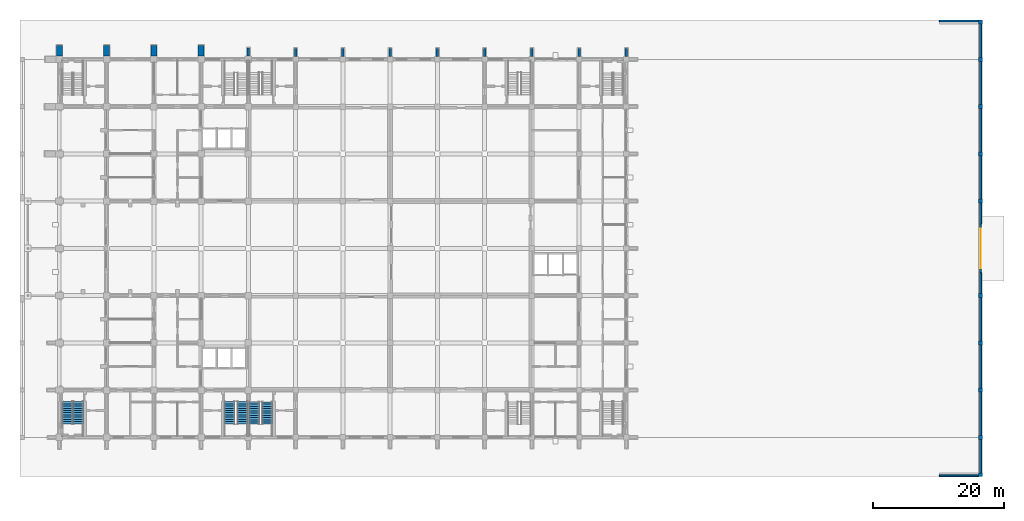
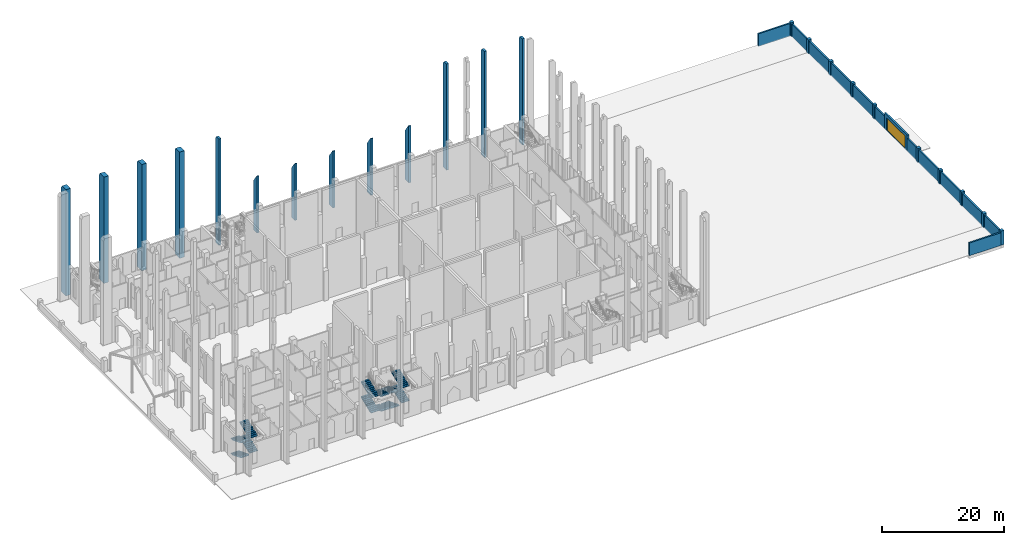
# One storey, part 40 of 50: 36 walls, 12 stair flights, 1 door, 1 opening, 3 elements without a shape of their own.
"""IFC4 building model written with IfcOpenShell, lengths in metres."""

from ifc_helpers import new_model, si_unit, direction, frame, frame_2d, origin, place, context, subcontext, project, spatial, polyline, rectangle, outline, extrude, material, layer, layer_set, type_object, element, fill, aggregate, save


model = new_model("IFC4")

# Units and contexts
model_context = context("Model", 3, precision=1e-05, world=origin(), true_north=direction((0.0, 1.0)))
body_context = subcontext(model_context, "Body", "Model", "MODEL_VIEW")
ifc_project = project(units=[si_unit("LENGTHUNIT", "METRE"), si_unit("AREAUNIT", "SQUARE_METRE"), si_unit("VOLUMEUNIT", "CUBIC_METRE"), si_unit("PLANEANGLEUNIT", "RADIAN"), si_unit("MASSUNIT", "GRAM", prefix="KILO")], contexts=[model_context])

# Site, building, storey
site_placement = place(None, origin())
site = spatial("IfcSite", under=ifc_project, at=site_placement, CompositionType="ELEMENT")
building_placement = place(site_placement, origin())
building = spatial("IfcBuilding", under=site, at=building_placement, Name="Silangan Lancet Faculty of Sciences", CompositionType="ELEMENT")
storey_placement = place(building_placement, origin())
storey = spatial("IfcBuildingStorey", under=building, at=storey_placement, Name="L00", CompositionType="ELEMENT", Elevation=0.0)

# Walls
ifc_material_1 = material(Name="Concrete C40/50 precast", Category="concrete")
ifc_layer_1 = layer(ifc_material_1, 0.300048828125)
ifc_layer_set_1 = layer_set([ifc_layer_1], Name="Concrete C40/50 precast")
wall_type_1 = type_object("IfcWallType", Name="EW1 Precast cladding wall", PredefinedType="STANDARD", material=ifc_layer_set_1)
wall_1_placement = place(storey_placement, frame((140.39990234375, -5.39990234375, -0.14990234375), z_axis=(0.0, 0.0, 1.0), x_axis=(0.0, 1.0, 0.0)))
element("IfcWall", 1, at=wall_1_placement, inside=storey, type_object=wall_type_1, Name="BW-01", PredefinedType="STANDARD", context=body_context, shape_type="SweptSolid", body=[
    extrude(rectangle(XDim=5.099853515625, YDim=0.300048828125, at=frame_2d((2.5498046875, 0.0))), origin(), (0.0, 0.0, 1.0), 2.5498046875),
])
wall_2_placement = place(storey_placement, frame((140.39990234375, 0.300048828125, -0.14990234375), z_axis=(0.0, 0.0, 1.0), x_axis=(0.0, 1.0, 0.0)))
element("IfcWall", 2, at=wall_2_placement, inside=storey, type_object=wall_type_1, Name="BW-02", PredefinedType="STANDARD", context=body_context, shape_type="SweptSolid", body=[
    extrude(rectangle(XDim=6.599853515625, YDim=0.300048828125, at=frame_2d((3.2998046875, 0.0))), origin(), (0.0, 0.0, 1.0), 2.5498046875),
])
for number, where, z_axis, x_axis, name in (
    (3, (140.39990234375, 7.5, -0.14990234375), (0.0, 0.0, 1.0), (0.0, 1.0, 0.0), "BW-03"),
    (4, (140.39990234375, 14.699951171875, -0.14990234375), (0.0, 0.0, 1.0), (0.0, 1.0, 0.0), "BW-04"),
):
    element("IfcWall", number, at=place(storey_placement, frame(where, z_axis=z_axis, x_axis=x_axis)), inside=storey, type_object=wall_type_1, Name=name, PredefinedType="STANDARD", context=body_context, shape_type="SweptSolid", body=[
        extrude(rectangle(XDim=6.60009765625, YDim=0.300048828125, at=frame_2d((3.300048828125, 0.0))), origin(), (0.0, 0.0, 1.0), 2.5498046875),
    ])
wall_3_placement = place(storey_placement, frame((140.39990234375, 21.89990234375, -0.14990234375), z_axis=(0.0, 0.0, 1.0), x_axis=(0.0, 1.0, 0.0)))
element("IfcWall", 5, at=wall_3_placement, inside=storey, type_object=wall_type_1, Name="BW-05", PredefinedType="STANDARD", context=body_context, shape_type="SweptSolid", body=[
    extrude(rectangle(XDim=3.150146484375, YDim=0.300048828125, at=frame_2d((1.5751953125, 0.0))), origin(), (0.0, 0.0, 1.0), 2.5498046875),
])
wall_4_placement = place(storey_placement, frame((140.39990234375, 32.550048828125, -0.14990234375), z_axis=(0.0, 0.0, 1.0), x_axis=(0.0, 1.0, 0.0)))
element("IfcWall", 6, at=wall_4_placement, inside=storey, type_object=wall_type_1, Name="BW-06", PredefinedType="STANDARD", context=body_context, shape_type="SweptSolid", body=[
    extrude(rectangle(XDim=3.14990234375, YDim=0.300048828125, at=frame_2d((1.574951171875, 0.0))), origin(), (0.0, 0.0, 1.0), 2.5498046875),
])
wall_5_placement = place(storey_placement, frame((140.39990234375, 36.300048828125, -0.14990234375), z_axis=(0.0, 0.0, 1.0), x_axis=(0.0, 1.0, 0.0)))
element("IfcWall", 7, at=wall_5_placement, inside=storey, type_object=wall_type_1, Name="BW-07", PredefinedType="STANDARD", context=body_context, shape_type="SweptSolid", body=[
    extrude(rectangle(XDim=6.599853515625, YDim=0.300048828125, at=frame_2d((3.2998046875, 0.0))), origin(), (0.0, 0.0, 1.0), 2.5498046875),
])
for number, where, z_axis, x_axis, name in (
    (8, (140.39990234375, 43.5, -0.14990234375), (0.0, 0.0, 1.0), (0.0, 1.0, 0.0), "BW-08"),
    (9, (140.39990234375, 50.699951171875, -0.14990234375), (0.0, 0.0, 1.0), (0.0, 1.0, 0.0), "BW-09"),
):
    element("IfcWall", number, at=place(storey_placement, frame(where, z_axis=z_axis, x_axis=x_axis)), inside=storey, type_object=wall_type_1, Name=name, PredefinedType="STANDARD", context=body_context, shape_type="SweptSolid", body=[
        extrude(rectangle(XDim=6.60009765625, YDim=0.300048828125, at=frame_2d((3.300048828125, 0.0))), origin(), (0.0, 0.0, 1.0), 2.5498046875),
    ])
wall_6_placement = place(storey_placement, frame((140.39990234375, 57.89990234375, -0.14990234375), z_axis=(0.0, 0.0, 1.0), x_axis=(0.0, 1.0, 0.0)))
element("IfcWall", 10, at=wall_6_placement, inside=storey, type_object=wall_type_1, Name="BW-10", PredefinedType="STANDARD", context=body_context, shape_type="SweptSolid", body=[
    extrude(rectangle(XDim=5.10009765625, YDim=0.300048828125, at=frame_2d((2.550048828125, 0.0))), origin(), (0.0, 0.0, 1.0), 2.5498046875),
])
for number, where, z_axis, x_axis, name in (
    (11, (134.10009765625, -5.85009765625, -0.14990234375), (0.0, 0.0, 1.0), (1.0, 0.0, 0.0), "BR-01"),
    (12, (134.10009765625, 63.449951171875, -0.14990234375), (0.0, 0.0, 1.0), (1.0, 0.0, 0.0), "BR-02"),
):
    element("IfcWall", number, at=place(storey_placement, frame(where, z_axis=z_axis, x_axis=x_axis)), inside=storey, type_object=wall_type_1, Name=name, PredefinedType="STANDARD", context=body_context, shape_type="SweptSolid", body=[
        extrude(rectangle(XDim=6.0, YDim=0.300048828125, at=frame_2d((3.0, 0.0))), origin(), (0.0, 0.0, 1.0), 2.5498046875),
    ])

# Wall, opening, door
wall_7_placement = place(storey_placement, frame((140.39990234375, 25.050048828125, -0.14990234375), z_axis=(0.0, 0.0, 1.0), x_axis=(0.0, 1.0, 0.0)))
wall_7 = element("IfcWall", 13, at=wall_7_placement, inside=storey, type_object=wall_type_1, Name="BW-GATE", PredefinedType="STANDARD", context=body_context, shape_type="SweptSolid", body=[
    extrude(rectangle(XDim=7.5, YDim=0.300048828125, at=frame_2d((3.75, 0.0))), origin(), (0.0, 0.0, 1.0), 3.25),
])
opening_placement = place(wall_7_placement, frame((0.75, 0.0, 0.14990234375)))
opening = element("IfcOpeningElement", 14, at=opening_placement, cuts=wall_7, Name="Opening L00-925", PredefinedType="OPENING", context=body_context, shape_type="SweptSolid", body=[
    extrude(rectangle(XDim=6.0, YDim=2.5, at=frame_2d((3.0, 1.25))), frame((0.0, 0.159912109375, 0.0), z_axis=(0.0, -1.0, 0.0), x_axis=(1.0, 0.0, 0.0)), (0.0, 0.0, 1.0), 0.320068359375),
])
ifc_material_2 = material(Name="Steel sliding gate, galvanised", Category="steel")
door_type = type_object("IfcDoorType", Name="XD9 Service court vehicle gate 6000 x 2500", OperationType="SLIDING_TO_RIGHT", PredefinedType="DOOR", material=ifc_material_2)
door_placement = place(opening_placement, origin())
door = element("IfcDoor", 15, at=door_placement, inside=storey, type_object=door_type, Name="Service Court Vehicle Gate", OperationType="SLIDING_TO_RIGHT", OverallHeight=2.5, OverallWidth=6.0, PredefinedType="DOOR", context=body_context, shape_type="SweptSolid", body=[
    extrude(rectangle(XDim=6.0, YDim=2.5, at=frame_2d((3.0, 1.25))), frame((0.0, 0.02490234375, 0.0), z_axis=(0.0, -1.0, 0.0), x_axis=(1.0, 0.0, 0.0)), (0.0, 0.0, 1.0), 0.050048828125),
])
fill(opening, door)

# Walls
ifc_material_3 = material(Name="Concrete C40/50 precast", Category="concrete")
ifc_layer_2 = layer(ifc_material_3, 0.60009765625)
ifc_layer_set_2 = layer_set([ifc_layer_2], Name="Concrete C40/50 precast")
wall_type_2 = type_object("IfcWallType", Name="EW14 Court wall pier 600 x 600", PredefinedType="STANDARD", material=ifc_layer_set_2)
for number, where, z_axis, x_axis, name in (
    (16, (140.39990234375, -6.0, -0.14990234375), (0.0, 0.0, 1.0), (0.0, 1.0, 0.0), "BP-01"),
    (17, (140.39990234375, -0.300048828125, -0.14990234375), (0.0, 0.0, 1.0), (0.0, 1.0, 0.0), "BP-02"),
    (18, (140.39990234375, 6.89990234375, -0.14990234375), (0.0, 0.0, 1.0), (0.0, 1.0, 0.0), "BP-03"),
):
    element("IfcWall", number, at=place(storey_placement, frame(where, z_axis=z_axis, x_axis=x_axis)), inside=storey, type_object=wall_type_2, Name=name, PredefinedType="STANDARD", context=body_context, shape_type="SweptSolid", body=[
        extrude(rectangle(XDim=0.60009765625, YDim=0.60009765625, at=frame_2d((0.300048828125, 0.0))), origin(), (0.0, 0.0, 1.0), 2.849853515625),
    ])
for number, where, z_axis, x_axis, name in (
    (19, (140.39990234375, 14.10009765625, -0.14990234375), (0.0, 0.0, 1.0), (0.0, 1.0, 0.0), "BP-04"),
    (20, (140.39990234375, 21.300048828125, -0.14990234375), (0.0, 0.0, 1.0), (0.0, 1.0, 0.0), "BP-05"),
):
    element("IfcWall", number, at=place(storey_placement, frame(where, z_axis=z_axis, x_axis=x_axis)), inside=storey, type_object=wall_type_2, Name=name, PredefinedType="STANDARD", context=body_context, shape_type="SweptSolid", body=[
        extrude(rectangle(XDim=0.599853515625, YDim=0.60009765625, at=frame_2d((0.2998046875, 0.0))), origin(), (0.0, 0.0, 1.0), 2.849853515625),
    ])
for number, where, z_axis, x_axis, name in (
    (21, (140.39990234375, 35.699951171875, -0.14990234375), (0.0, 0.0, 1.0), (0.0, 1.0, 0.0), "BP-06"),
    (22, (140.39990234375, 42.89990234375, -0.14990234375), (0.0, 0.0, 1.0), (0.0, 1.0, 0.0), "BP-07"),
):
    element("IfcWall", number, at=place(storey_placement, frame(where, z_axis=z_axis, x_axis=x_axis)), inside=storey, type_object=wall_type_2, Name=name, PredefinedType="STANDARD", context=body_context, shape_type="SweptSolid", body=[
        extrude(rectangle(XDim=0.60009765625, YDim=0.60009765625, at=frame_2d((0.300048828125, 0.0))), origin(), (0.0, 0.0, 1.0), 2.849853515625),
    ])
for number, where, z_axis, x_axis, name in (
    (23, (140.39990234375, 50.10009765625, -0.14990234375), (0.0, 0.0, 1.0), (0.0, 1.0, 0.0), "BP-08"),
    (24, (140.39990234375, 57.300048828125, -0.14990234375), (0.0, 0.0, 1.0), (0.0, 1.0, 0.0), "BP-09"),
):
    element("IfcWall", number, at=place(storey_placement, frame(where, z_axis=z_axis, x_axis=x_axis)), inside=storey, type_object=wall_type_2, Name=name, PredefinedType="STANDARD", context=body_context, shape_type="SweptSolid", body=[
        extrude(rectangle(XDim=0.599853515625, YDim=0.60009765625, at=frame_2d((0.2998046875, 0.0))), origin(), (0.0, 0.0, 1.0), 2.849853515625),
    ])
wall_8_placement = place(storey_placement, frame((140.39990234375, 63.0, -0.14990234375), z_axis=(0.0, 0.0, 1.0), x_axis=(0.0, 1.0, 0.0)))
element("IfcWall", 25, at=wall_8_placement, inside=storey, type_object=wall_type_2, Name="BP-10", PredefinedType="STANDARD", context=body_context, shape_type="SweptSolid", body=[
    extrude(rectangle(XDim=0.60009765625, YDim=0.60009765625, at=frame_2d((0.300048828125, 0.0))), origin(), (0.0, 0.0, 1.0), 2.849853515625),
])
ifc_material_4 = material(Name="Concrete C40/50 precast", Category="concrete")
ifc_layer_3 = layer(ifc_material_4, 0.39990234375)
ifc_layer_set_3 = layer_set([ifc_layer_3], Name="Concrete C40/50 precast")
wall_type_3 = type_object("IfcWallType", Name="FN10 Buttress Fin column line stage 1 21350", PredefinedType="POLYGONAL", material=ifc_layer_set_3)
wall_9_placement = place(storey_placement, frame((28.800048828125, 58.10009765625, 0.0), z_axis=(0.0, 0.0, 1.0), x_axis=(0.0, 1.0, 0.0)))
element("IfcWall", 26, at=wall_9_placement, inside=storey, type_object=wall_type_3, Name="FINC-N-NAB-01", PredefinedType="POLYGONAL", context=body_context, shape_type="SweptSolid", body=[
    extrude(outline(polyline([(1.199951171875, 0.0), (1.199951171875, 20.824951171875), (0.85009765625, 21.35009765625), (0.0, 21.35009765625), (0.0, 0.0), (1.199951171875, 0.0)])), frame((0.0, 0.199951171875, 0.0), z_axis=(0.0, -1.0, 0.0), x_axis=(1.0, 0.0, 0.0)), (0.0, 0.0, 1.0), 0.39990234375),
])
ifc_material_5 = material(Name="Concrete C40/50 precast", Category="concrete")
ifc_layer_4 = layer(ifc_material_5, 0.89990234375)
ifc_layer_set_4 = layer_set([ifc_layer_4], Name="Concrete C40/50 precast")
wall_type_4 = type_object("IfcWallType", Name="FN28 Buttress Fin column line stage 1 21350", PredefinedType="POLYGONAL", material=ifc_layer_set_4)
for number, where, z_axis, x_axis, name in (
    (27, (0.0, 58.10009765625, 0.0), (0.0, 0.0, 1.0), (0.0, 1.0, 0.0), "FINC-N-NT-01"),
    (28, (7.199951171875, 58.10009765625, 0.0), (0.0, 0.0, 1.0), (0.0, 1.0, 0.0), "FINC-N-NT-02"),
    (29, (14.39990234375, 58.10009765625, 0.0), (0.0, 0.0, 1.0), (0.0, 1.0, 0.0), "FINC-N-NT-03"),
    (30, (21.60009765625, 58.10009765625, 0.0), (0.0, 0.0, 1.0), (0.0, 1.0, 0.0), "FINC-N-NT-04"),
):
    element("IfcWall", number, at=place(storey_placement, frame(where, z_axis=z_axis, x_axis=x_axis)), inside=storey, type_object=wall_type_4, Name=name, PredefinedType="POLYGONAL", context=body_context, shape_type="SweptSolid", body=[
        extrude(outline(polyline([(1.60009765625, 0.0), (1.60009765625, 20.89990234375), (1.300048828125, 21.35009765625), (0.0, 21.35009765625), (0.0, 0.0), (1.60009765625, 0.0)])), frame((0.0, 0.449951171875, 0.0), z_axis=(0.0, -1.0, 0.0), x_axis=(1.0, 0.0, 0.0)), (0.0, 0.0, 1.0), 0.89990234375),
    ])
ifc_material_6 = material(Name="Concrete C40/50 precast", Category="concrete")
ifc_layer_5 = layer(ifc_material_6, 0.39990234375)
ifc_layer_set_5 = layer_set([ifc_layer_5], Name="Concrete C40/50 precast")
wall_type_5 = type_object("IfcWallType", Name="FN52 Buttress Fin column line stage 1 11400", PredefinedType="POLYGONAL", material=ifc_layer_set_5)
for number, where, z_axis, x_axis, name in (
    (31, (36.0, 58.02490234375, 0.0), (0.0, 0.0, 1.0), (0.0, 1.0, 0.0), "FINC-N-NAB-02"),
    (32, (43.199951171875, 58.02490234375, 0.0), (0.0, 0.0, 1.0), (0.0, 1.0, 0.0), "FINC-N-NAB-03"),
    (33, (50.39990234375, 58.02490234375, 0.0), (0.0, 0.0, 1.0), (0.0, 1.0, 0.0), "FINC-N-NAB-04"),
    (34, (57.60009765625, 58.02490234375, 0.0), (0.0, 0.0, 1.0), (0.0, 1.0, 0.0), "FINC-N-NAB-05"),
    (35, (64.800048828125, 58.02490234375, 0.0), (0.0, 0.0, 1.0), (0.0, 1.0, 0.0), "FINC-N-NAB-06"),
):
    element("IfcWall", number, at=place(storey_placement, frame(where, z_axis=z_axis, x_axis=x_axis)), inside=storey, type_object=wall_type_5, Name=name, PredefinedType="POLYGONAL", context=body_context, shape_type="SweptSolid", body=[
        extrude(outline(polyline([(1.199951171875, 0.0), (1.199951171875, 9.824951171875), (0.14990234375, 11.39990234375), (0.0, 11.39990234375), (0.0, 0.0), (1.199951171875, 0.0)])), frame((0.0, 0.199951171875, 0.0), z_axis=(0.0, -1.0, 0.0), x_axis=(1.0, 0.0, 0.0)), (0.0, 0.0, 1.0), 0.39990234375),
    ])
ifc_material_7 = material(Name="Concrete C40/50 precast", Category="concrete")
ifc_layer_6 = layer(ifc_material_7, 0.39990234375)
ifc_layer_set_6 = layer_set([ifc_layer_6], Name="Concrete C40/50 precast")
wall_type_6 = type_object("IfcWallType", Name="FN55 Buttress Fin column line stage 1 21350", PredefinedType="POLYGONAL", material=ifc_layer_set_6)
for number, where, z_axis, x_axis, name in (
    (36, (72.0, 58.02490234375, 0.0), (0.0, 0.0, 1.0), (0.0, 1.0, 0.0), "FINC-N-EB-01"),
    (37, (79.199951171875, 58.02490234375, 0.0), (0.0, 0.0, 1.0), (0.0, 1.0, 0.0), "FINC-N-EB-02"),
    (38, (86.39990234375, 58.02490234375, 0.0), (0.0, 0.0, 1.0), (0.0, 1.0, 0.0), "FINC-N-EB-03"),
):
    element("IfcWall", number, at=place(storey_placement, frame(where, z_axis=z_axis, x_axis=x_axis)), inside=storey, type_object=wall_type_6, Name=name, PredefinedType="POLYGONAL", context=body_context, shape_type="SweptSolid", body=[
        extrude(outline(polyline([(1.199951171875, 0.0), (1.199951171875, 20.824951171875), (0.85009765625, 21.35009765625), (0.0, 21.35009765625), (0.0, 0.0), (1.199951171875, 0.0)])), frame((0.0, 0.199951171875, 0.0), z_axis=(0.0, -1.0, 0.0), x_axis=(1.0, 0.0, 0.0)), (0.0, 0.0, 1.0), 0.39990234375),
    ])

# Stair, stair flights
ifc_material_8 = material(Name="Concrete C40/50", Category="concrete")
stair_type = type_object("IfcStairType", Name="TURRET STAIR 1550 FOUR-FLIGHT", PredefinedType="DOUBLE_RETURN_STAIR", material=ifc_material_8)
stair_1_placement = place(storey_placement, origin())
stair_1 = element("IfcStair", 39, at=stair_1_placement, inside=storey, type_object=stair_type, Name="SAB-A stair L00", PredefinedType="DOUBLE_RETURN_STAIR")
ifc_material_9 = material(Name="Concrete C40/50", Category="concrete")
stair_flight_type = type_object("IfcStairFlightType", Name="TURRET STAIR FLIGHT 1550", PredefinedType="STRAIGHT", material=ifc_material_9)
stair_flight_1_placement = place(storey_placement, frame((29.699951171875, 5.39990234375, 0.0), z_axis=(0.0, 0.0, 1.0), x_axis=(0.0, -1.0, 0.0)))
stair_flight_1 = element("IfcStairFlight", 40, at=stair_flight_1_placement, type_object=stair_flight_type, Name="STR5 flight 1", NumberOfRisers=11, NumberOfTreads=10, PredefinedType="STRAIGHT", RiserHeight=0.136363636, TreadLength=0.34, context=body_context, shape_type="SweptSolid", body=[
    extrude(outline(polyline([(0.0, 0.0), (0.0, 0.136474609375), (0.340087890625, 0.136474609375), (0.340087890625, 0.272705078125), (0.679931640625, 0.272705078125), (0.679931640625, 0.4091796875), (1.02001953125, 0.4091796875), (1.02001953125, 0.54541015625), (1.360107421875, 0.54541015625), (1.360107421875, 0.681884765625), (1.699951171875, 0.681884765625), (1.699951171875, 0.818115234375), (2.0400390625, 0.818115234375), (2.0400390625, 0.95458984375), (2.3798828125, 0.95458984375), (2.3798828125, 1.0908203125), (2.719970703125, 1.0908203125), (2.719970703125, 1.227294921875), (3.06005859375, 1.227294921875), (3.06005859375, 1.363525390625), (3.39990234375, 1.363525390625), (3.39990234375, 1.5), (3.39990234375, 1.148193359375), (0.537109375, 0.0), (0.0, 0.0)])), frame((0.0, 0.77490234375, 0.0), z_axis=(0.0, -1.0, 0.0), x_axis=(1.0, 0.0, 0.0)), (0.0, 0.0, 1.0), 1.550048828125),
])
stair_flight_2_placement = place(storey_placement, frame((31.675048828125, 2.0, 1.5), z_axis=(0.0, 0.0, 1.0), x_axis=(0.0, 1.0, 0.0)))
stair_flight_2 = element("IfcStairFlight", 41, at=stair_flight_2_placement, type_object=stair_flight_type, Name="STR5 flight 2", NumberOfRisers=11, NumberOfTreads=10, PredefinedType="STRAIGHT", RiserHeight=0.136363636, TreadLength=0.34, context=body_context, shape_type="SweptSolid", body=[
    extrude(outline(polyline([(0.0, 0.0), (0.0, 0.136474609375), (0.340087890625, 0.136474609375), (0.340087890625, 0.272705078125), (0.679931640625, 0.272705078125), (0.679931640625, 0.4091796875), (1.02001953125, 0.4091796875), (1.02001953125, 0.54541015625), (1.360107421875, 0.54541015625), (1.360107421875, 0.681884765625), (1.699951171875, 0.681884765625), (1.699951171875, 0.818115234375), (2.0400390625, 0.818115234375), (2.0400390625, 0.95458984375), (2.3798828125, 0.95458984375), (2.3798828125, 1.0908203125), (2.719970703125, 1.0908203125), (2.719970703125, 1.227294921875), (3.06005859375, 1.227294921875), (3.06005859375, 1.363525390625), (3.39990234375, 1.363525390625), (3.39990234375, 1.5), (3.39990234375, 1.148193359375), (0.537109375, 0.0), (0.0, 0.0)])), frame((0.0, 0.77490234375, 0.0), z_axis=(0.0, -1.0, 0.0), x_axis=(1.0, 0.0, 0.0)), (0.0, 0.0, 1.0), 1.550048828125),
])
stair_flight_3_placement = place(storey_placement, frame((29.699951171875, 5.39990234375, 3.0), z_axis=(0.0, 0.0, 1.0), x_axis=(0.0, -1.0, 0.0)))
stair_flight_3 = element("IfcStairFlight", 42, at=stair_flight_3_placement, type_object=stair_flight_type, Name="STR5 flight 3", NumberOfRisers=11, NumberOfTreads=10, PredefinedType="STRAIGHT", RiserHeight=0.136363636, TreadLength=0.34, context=body_context, shape_type="SweptSolid", body=[
    extrude(outline(polyline([(0.0, 0.0), (0.0, 0.136474609375), (0.340087890625, 0.136474609375), (0.340087890625, 0.272705078125), (0.679931640625, 0.272705078125), (0.679931640625, 0.4091796875), (1.02001953125, 0.4091796875), (1.02001953125, 0.54541015625), (1.360107421875, 0.54541015625), (1.360107421875, 0.681884765625), (1.699951171875, 0.681884765625), (1.699951171875, 0.818115234375), (2.0400390625, 0.818115234375), (2.0400390625, 0.95458984375), (2.3798828125, 0.95458984375), (2.3798828125, 1.0908203125), (2.719970703125, 1.0908203125), (2.719970703125, 1.227294921875), (3.06005859375, 1.227294921875), (3.06005859375, 1.363525390625), (3.39990234375, 1.363525390625), (3.39990234375, 1.5), (3.39990234375, 1.148193359375), (0.537109375, 0.0), (0.0, 0.0)])), frame((0.0, 0.77490234375, 0.0), z_axis=(0.0, -1.0, 0.0), x_axis=(1.0, 0.0, 0.0)), (0.0, 0.0, 1.0), 1.550048828125),
])
stair_flight_4_placement = place(storey_placement, frame((31.675048828125, 2.0, 4.5), z_axis=(0.0, 0.0, 1.0), x_axis=(0.0, 1.0, 0.0)))
stair_flight_4 = element("IfcStairFlight", 43, at=stair_flight_4_placement, type_object=stair_flight_type, Name="STR5 flight 4", NumberOfRisers=11, NumberOfTreads=10, PredefinedType="STRAIGHT", RiserHeight=0.136363636, TreadLength=0.34, context=body_context, shape_type="SweptSolid", body=[
    extrude(outline(polyline([(0.0, 0.0), (0.0, 0.136474609375), (0.340087890625, 0.136474609375), (0.340087890625, 0.272705078125), (0.679931640625, 0.272705078125), (0.679931640625, 0.4091796875), (1.02001953125, 0.4091796875), (1.02001953125, 0.54541015625), (1.360107421875, 0.54541015625), (1.360107421875, 0.681884765625), (1.699951171875, 0.681884765625), (1.699951171875, 0.818115234375), (2.0400390625, 0.818115234375), (2.0400390625, 0.95458984375), (2.3798828125, 0.95458984375), (2.3798828125, 1.0908203125), (2.719970703125, 1.0908203125), (2.719970703125, 1.227294921875), (3.06005859375, 1.227294921875), (3.06005859375, 1.363525390625), (3.39990234375, 1.363525390625), (3.39990234375, 1.5), (3.39990234375, 1.148193359375), (0.537109375, 0.0), (0.0, 0.0)])), frame((0.0, 0.77490234375, 0.0), z_axis=(0.0, -1.0, 0.0), x_axis=(1.0, 0.0, 0.0)), (0.0, 0.0, 1.0), 1.550048828125),
])
aggregate(stair_1, [stair_flight_1, stair_flight_2, stair_flight_3, stair_flight_4])

stair_2_placement = place(storey_placement, origin())
stair_2 = element("IfcStair", 44, at=stair_2_placement, inside=storey, type_object=stair_type, Name="ST-A stair L00", PredefinedType="DOUBLE_RETURN_STAIR")
stair_flight_5_placement = place(storey_placement, frame((1.22509765625, 5.449951171875, 0.0), z_axis=(0.0, 0.0, 1.0), x_axis=(0.0, -1.0, 0.0)))
stair_flight_5 = element("IfcStairFlight", 45, at=stair_flight_5_placement, type_object=stair_flight_type, Name="STR1 flight 1", NumberOfRisers=11, NumberOfTreads=10, PredefinedType="STRAIGHT", RiserHeight=0.136363636, TreadLength=0.34, context=body_context, shape_type="SweptSolid", body=[
    extrude(outline(polyline([(0.0, 0.0), (0.0, 0.136474609375), (0.340087890625, 0.136474609375), (0.340087890625, 0.272705078125), (0.679931640625, 0.272705078125), (0.679931640625, 0.4091796875), (1.02001953125, 0.4091796875), (1.02001953125, 0.54541015625), (1.360107421875, 0.54541015625), (1.360107421875, 0.681884765625), (1.699951171875, 0.681884765625), (1.699951171875, 0.818115234375), (2.0400390625, 0.818115234375), (2.0400390625, 0.95458984375), (2.3798828125, 0.95458984375), (2.3798828125, 1.0908203125), (2.719970703125, 1.0908203125), (2.719970703125, 1.227294921875), (3.06005859375, 1.227294921875), (3.06005859375, 1.363525390625), (3.39990234375, 1.363525390625), (3.39990234375, 1.5), (3.39990234375, 1.148193359375), (0.537109375, 0.0), (0.0, 0.0)])), frame((0.0, 0.77490234375, 0.0), z_axis=(0.0, -1.0, 0.0), x_axis=(1.0, 0.0, 0.0)), (0.0, 0.0, 1.0), 1.550048828125),
])
stair_flight_6_placement = place(storey_placement, frame((2.875, 2.050048828125, 1.5), z_axis=(0.0, 0.0, 1.0), x_axis=(0.0, 1.0, 0.0)))
stair_flight_6 = element("IfcStairFlight", 46, at=stair_flight_6_placement, type_object=stair_flight_type, Name="STR1 flight 2", NumberOfRisers=11, NumberOfTreads=10, PredefinedType="STRAIGHT", RiserHeight=0.136363636, TreadLength=0.34, context=body_context, shape_type="SweptSolid", body=[
    extrude(outline(polyline([(0.0, 0.0), (0.0, 0.136474609375), (0.340087890625, 0.136474609375), (0.340087890625, 0.272705078125), (0.679931640625, 0.272705078125), (0.679931640625, 0.4091796875), (1.02001953125, 0.4091796875), (1.02001953125, 0.54541015625), (1.360107421875, 0.54541015625), (1.360107421875, 0.681884765625), (1.699951171875, 0.681884765625), (1.699951171875, 0.818115234375), (2.0400390625, 0.818115234375), (2.0400390625, 0.95458984375), (2.3798828125, 0.95458984375), (2.3798828125, 1.0908203125), (2.719970703125, 1.0908203125), (2.719970703125, 1.227294921875), (3.06005859375, 1.227294921875), (3.06005859375, 1.363525390625), (3.39990234375, 1.363525390625), (3.39990234375, 1.5), (3.39990234375, 1.148193359375), (0.537109375, 0.0), (0.0, 0.0)])), frame((0.0, 0.77490234375, 0.0), z_axis=(0.0, -1.0, 0.0), x_axis=(1.0, 0.0, 0.0)), (0.0, 0.0, 1.0), 1.550048828125),
])
stair_flight_7_placement = place(storey_placement, frame((1.22509765625, 5.449951171875, 3.0), z_axis=(0.0, 0.0, 1.0), x_axis=(0.0, -1.0, 0.0)))
stair_flight_7 = element("IfcStairFlight", 47, at=stair_flight_7_placement, type_object=stair_flight_type, Name="STR1 flight 3", NumberOfRisers=11, NumberOfTreads=10, PredefinedType="STRAIGHT", RiserHeight=0.136363636, TreadLength=0.34, context=body_context, shape_type="SweptSolid", body=[
    extrude(outline(polyline([(0.0, 0.0), (0.0, 0.136474609375), (0.340087890625, 0.136474609375), (0.340087890625, 0.272705078125), (0.679931640625, 0.272705078125), (0.679931640625, 0.4091796875), (1.02001953125, 0.4091796875), (1.02001953125, 0.54541015625), (1.360107421875, 0.54541015625), (1.360107421875, 0.681884765625), (1.699951171875, 0.681884765625), (1.699951171875, 0.818115234375), (2.0400390625, 0.818115234375), (2.0400390625, 0.95458984375), (2.3798828125, 0.95458984375), (2.3798828125, 1.0908203125), (2.719970703125, 1.0908203125), (2.719970703125, 1.227294921875), (3.06005859375, 1.227294921875), (3.06005859375, 1.363525390625), (3.39990234375, 1.363525390625), (3.39990234375, 1.5), (3.39990234375, 1.148193359375), (0.537109375, 0.0), (0.0, 0.0)])), frame((0.0, 0.77490234375, 0.0), z_axis=(0.0, -1.0, 0.0), x_axis=(1.0, 0.0, 0.0)), (0.0, 0.0, 1.0), 1.550048828125),
])
stair_flight_8_placement = place(storey_placement, frame((2.875, 2.050048828125, 4.5), z_axis=(0.0, 0.0, 1.0), x_axis=(0.0, 1.0, 0.0)))
stair_flight_8 = element("IfcStairFlight", 48, at=stair_flight_8_placement, type_object=stair_flight_type, Name="STR1 flight 4", NumberOfRisers=11, NumberOfTreads=10, PredefinedType="STRAIGHT", RiserHeight=0.136363636, TreadLength=0.34, context=body_context, shape_type="SweptSolid", body=[
    extrude(outline(polyline([(0.0, 0.0), (0.0, 0.136474609375), (0.340087890625, 0.136474609375), (0.340087890625, 0.272705078125), (0.679931640625, 0.272705078125), (0.679931640625, 0.4091796875), (1.02001953125, 0.4091796875), (1.02001953125, 0.54541015625), (1.360107421875, 0.54541015625), (1.360107421875, 0.681884765625), (1.699951171875, 0.681884765625), (1.699951171875, 0.818115234375), (2.0400390625, 0.818115234375), (2.0400390625, 0.95458984375), (2.3798828125, 0.95458984375), (2.3798828125, 1.0908203125), (2.719970703125, 1.0908203125), (2.719970703125, 1.227294921875), (3.06005859375, 1.227294921875), (3.06005859375, 1.363525390625), (3.39990234375, 1.363525390625), (3.39990234375, 1.5), (3.39990234375, 1.148193359375), (0.537109375, 0.0), (0.0, 0.0)])), frame((0.0, 0.77490234375, 0.0), z_axis=(0.0, -1.0, 0.0), x_axis=(1.0, 0.0, 0.0)), (0.0, 0.0, 1.0), 1.550048828125),
])
aggregate(stair_2, [stair_flight_5, stair_flight_6, stair_flight_7, stair_flight_8])

stair_3_placement = place(storey_placement, origin())
stair_3 = element("IfcStair", 49, at=stair_3_placement, inside=storey, type_object=stair_type, Name="ST-B stair L00", PredefinedType="DOUBLE_RETURN_STAIR")
stair_flight_9_placement = place(storey_placement, frame((27.89990234375, 5.449951171875, 0.0), z_axis=(0.0, 0.0, 1.0), x_axis=(0.0, -1.0, 0.0)))
stair_flight_9 = element("IfcStairFlight", 50, at=stair_flight_9_placement, type_object=stair_flight_type, Name="STR2 flight 1", NumberOfRisers=11, NumberOfTreads=10, PredefinedType="STRAIGHT", RiserHeight=0.136363636, TreadLength=0.34, context=body_context, shape_type="SweptSolid", body=[
    extrude(outline(polyline([(0.0, 0.0), (0.0, 0.136474609375), (0.340087890625, 0.136474609375), (0.340087890625, 0.272705078125), (0.679931640625, 0.272705078125), (0.679931640625, 0.4091796875), (1.02001953125, 0.4091796875), (1.02001953125, 0.54541015625), (1.360107421875, 0.54541015625), (1.360107421875, 0.681884765625), (1.699951171875, 0.681884765625), (1.699951171875, 0.818115234375), (2.0400390625, 0.818115234375), (2.0400390625, 0.95458984375), (2.3798828125, 0.95458984375), (2.3798828125, 1.0908203125), (2.719970703125, 1.0908203125), (2.719970703125, 1.227294921875), (3.06005859375, 1.227294921875), (3.06005859375, 1.363525390625), (3.39990234375, 1.363525390625), (3.39990234375, 1.5), (3.39990234375, 1.148193359375), (0.537109375, 0.0), (0.0, 0.0)])), frame((0.0, 0.77490234375, 0.0), z_axis=(0.0, -1.0, 0.0), x_axis=(1.0, 0.0, 0.0)), (0.0, 0.0, 1.0), 1.550048828125),
])
stair_flight_10_placement = place(storey_placement, frame((25.925048828125, 2.050048828125, 1.5), z_axis=(0.0, 0.0, 1.0), x_axis=(0.0, 1.0, 0.0)))
stair_flight_10 = element("IfcStairFlight", 51, at=stair_flight_10_placement, type_object=stair_flight_type, Name="STR2 flight 2", NumberOfRisers=11, NumberOfTreads=10, PredefinedType="STRAIGHT", RiserHeight=0.136363636, TreadLength=0.34, context=body_context, shape_type="SweptSolid", body=[
    extrude(outline(polyline([(0.0, 0.0), (0.0, 0.136474609375), (0.340087890625, 0.136474609375), (0.340087890625, 0.272705078125), (0.679931640625, 0.272705078125), (0.679931640625, 0.4091796875), (1.02001953125, 0.4091796875), (1.02001953125, 0.54541015625), (1.360107421875, 0.54541015625), (1.360107421875, 0.681884765625), (1.699951171875, 0.681884765625), (1.699951171875, 0.818115234375), (2.0400390625, 0.818115234375), (2.0400390625, 0.95458984375), (2.3798828125, 0.95458984375), (2.3798828125, 1.0908203125), (2.719970703125, 1.0908203125), (2.719970703125, 1.227294921875), (3.06005859375, 1.227294921875), (3.06005859375, 1.363525390625), (3.39990234375, 1.363525390625), (3.39990234375, 1.5), (3.39990234375, 1.148193359375), (0.537109375, 0.0), (0.0, 0.0)])), frame((0.0, 0.77490234375, 0.0), z_axis=(0.0, -1.0, 0.0), x_axis=(1.0, 0.0, 0.0)), (0.0, 0.0, 1.0), 1.550048828125),
])
stair_flight_11_placement = place(storey_placement, frame((27.89990234375, 5.449951171875, 3.0), z_axis=(0.0, 0.0, 1.0), x_axis=(0.0, -1.0, 0.0)))
stair_flight_11 = element("IfcStairFlight", 52, at=stair_flight_11_placement, type_object=stair_flight_type, Name="STR2 flight 3", NumberOfRisers=11, NumberOfTreads=10, PredefinedType="STRAIGHT", RiserHeight=0.136363636, TreadLength=0.34, context=body_context, shape_type="SweptSolid", body=[
    extrude(outline(polyline([(0.0, 0.0), (0.0, 0.136474609375), (0.340087890625, 0.136474609375), (0.340087890625, 0.272705078125), (0.679931640625, 0.272705078125), (0.679931640625, 0.4091796875), (1.02001953125, 0.4091796875), (1.02001953125, 0.54541015625), (1.360107421875, 0.54541015625), (1.360107421875, 0.681884765625), (1.699951171875, 0.681884765625), (1.699951171875, 0.818115234375), (2.0400390625, 0.818115234375), (2.0400390625, 0.95458984375), (2.3798828125, 0.95458984375), (2.3798828125, 1.0908203125), (2.719970703125, 1.0908203125), (2.719970703125, 1.227294921875), (3.06005859375, 1.227294921875), (3.06005859375, 1.363525390625), (3.39990234375, 1.363525390625), (3.39990234375, 1.5), (3.39990234375, 1.148193359375), (0.537109375, 0.0), (0.0, 0.0)])), frame((0.0, 0.77490234375, 0.0), z_axis=(0.0, -1.0, 0.0), x_axis=(1.0, 0.0, 0.0)), (0.0, 0.0, 1.0), 1.550048828125),
])
stair_flight_12_placement = place(storey_placement, frame((25.925048828125, 2.050048828125, 4.5), z_axis=(0.0, 0.0, 1.0), x_axis=(0.0, 1.0, 0.0)))
stair_flight_12 = element("IfcStairFlight", 53, at=stair_flight_12_placement, type_object=stair_flight_type, Name="STR2 flight 4", NumberOfRisers=11, NumberOfTreads=10, PredefinedType="STRAIGHT", RiserHeight=0.136363636, TreadLength=0.34, context=body_context, shape_type="SweptSolid", body=[
    extrude(outline(polyline([(0.0, 0.0), (0.0, 0.136474609375), (0.340087890625, 0.136474609375), (0.340087890625, 0.272705078125), (0.679931640625, 0.272705078125), (0.679931640625, 0.4091796875), (1.02001953125, 0.4091796875), (1.02001953125, 0.54541015625), (1.360107421875, 0.54541015625), (1.360107421875, 0.681884765625), (1.699951171875, 0.681884765625), (1.699951171875, 0.818115234375), (2.0400390625, 0.818115234375), (2.0400390625, 0.95458984375), (2.3798828125, 0.95458984375), (2.3798828125, 1.0908203125), (2.719970703125, 1.0908203125), (2.719970703125, 1.227294921875), (3.06005859375, 1.227294921875), (3.06005859375, 1.363525390625), (3.39990234375, 1.363525390625), (3.39990234375, 1.5), (3.39990234375, 1.148193359375), (0.537109375, 0.0), (0.0, 0.0)])), frame((0.0, 0.77490234375, 0.0), z_axis=(0.0, -1.0, 0.0), x_axis=(1.0, 0.0, 0.0)), (0.0, 0.0, 1.0), 1.550048828125),
])
aggregate(stair_3, [stair_flight_9, stair_flight_10, stair_flight_11, stair_flight_12])

save(model, "model.ifc")
